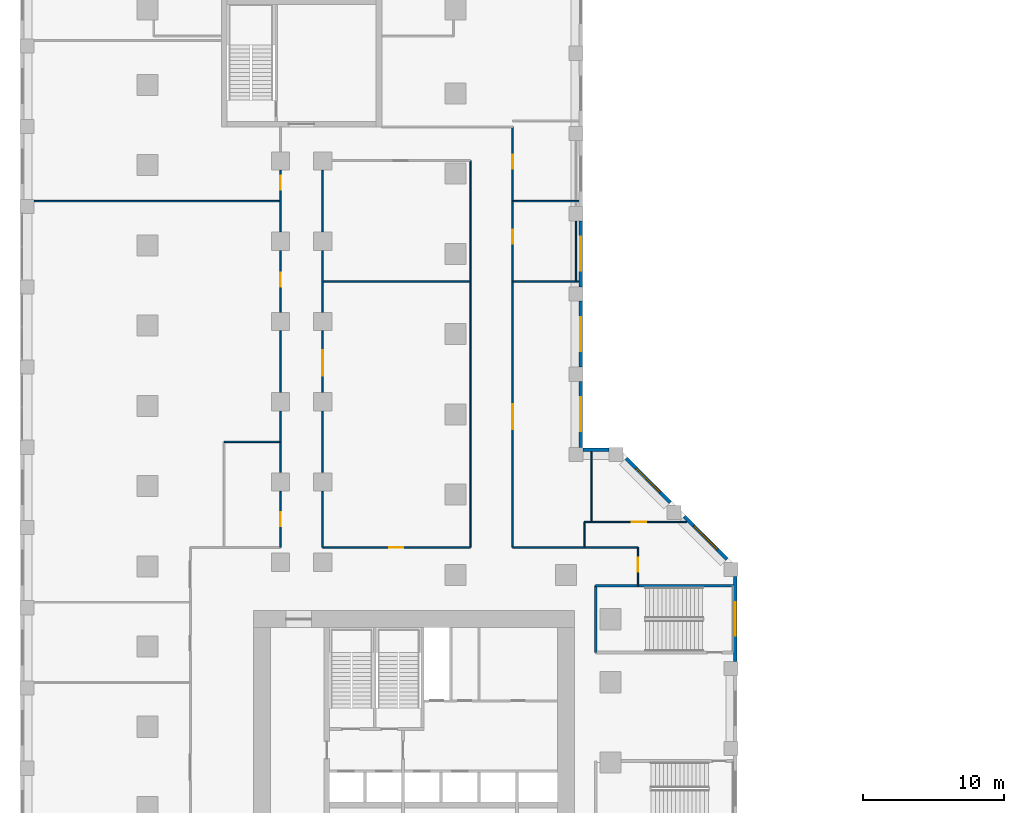
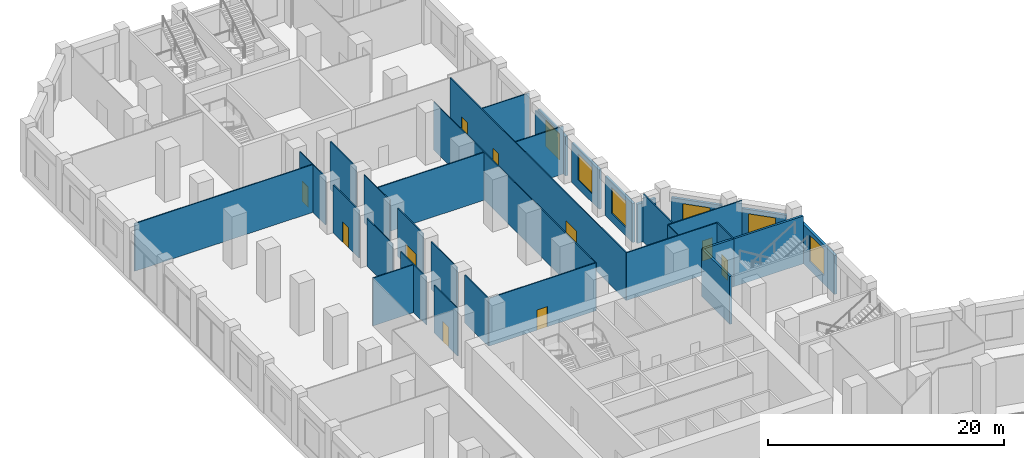
# One storey, part 15 of 23: 34 walls, 10 doors, 6 windows, 16 openings.
"""IFC4 building model written with IfcOpenShell, lengths in metres."""

import ifcopenshell
import ifcopenshell.guid

model = None  # the IFC model being written
_history = None  # IfcOwnerHistory: only IFC2X3 demands one
_inside = {}  # id of a spatial element -> (the spatial element, [elements in it])
_under = {}  # id of a project, library or spatial element -> (it, [spatial elements below it])
_declared = {}  # id of a project -> (the project, [libraries it declares])
_typed = {}  # id of a type object -> (the type object, [elements of that type])
_made_of = {}  # id of a material, layer set ... -> (it, [elements and type objects made of it])


def new_model(schema):
    """Start an empty IFC model of exactly this schema.

    Asked for "IFC4X3", IfcOpenShell would pick the latest addendum, in which some entities
    have other attributes; the version numbers below select the first issue.
    IFC2X3 requires an IfcOwnerHistory on every rooted entity: one is made here for all.
    """
    global model, _history
    if schema == "IFC4X3":
        model = ifcopenshell.file(schema_version=(4, 3, 0, 0))
    else:
        model = ifcopenshell.file(schema=schema)
    _inside.clear()
    _under.clear()
    _declared.clear()
    _typed.clear()
    _made_of.clear()
    _history = None
    if model.schema == "IFC2X3":
        org = make("IfcOrganization", Name="unknown")
        user = make(
            "IfcPersonAndOrganization",
            ThePerson=make("IfcPerson", FamilyName="unknown"),
            TheOrganization=org,
        )
        app = make(
            "IfcApplication",
            ApplicationDeveloper=org,
            Version="unknown",
            ApplicationFullName="unknown",
            ApplicationIdentifier="unknown",
        )
        _history = make(
            "IfcOwnerHistory",
            OwningUser=user,
            OwningApplication=app,
            ChangeAction="ADDED",
            CreationDate=0,
        )
    return model


def make(cls, **values):
    """One entity of the class cls with the attributes given. An attribute that is None is left unset."""
    return model.create_entity(
        cls, **{name: value for name, value in values.items() if value is not None}
    )


def rooted(cls, **values):
    """An entity with a GlobalId (a new one), such as an element, a storey or a relation."""
    return make(cls, GlobalId=ifcopenshell.guid.new(), OwnerHistory=_history, **values)


def si_unit(unit_type, name, prefix=None):
    """IfcSIUnit, for example si_unit("LENGTHUNIT", "METRE", prefix="MILLI")."""
    return make("IfcSIUnit", UnitType=unit_type, Prefix=prefix, Name=name)


def assignment(units):
    """IfcUnitAssignment: the units of a project."""
    return None if units is None else make("IfcUnitAssignment", Units=units)


def point(xyz):
    """IfcCartesianPoint."""
    return None if xyz is None else make("IfcCartesianPoint", Coordinates=xyz)


def direction(xyz):
    """IfcDirection."""
    return None if xyz is None else make("IfcDirection", DirectionRatios=xyz)


def frame(location, z_axis=None, x_axis=None):
    """IfcAxis2Placement3D, a coordinate frame: its origin and axes. An axis left out is left unset."""
    return make(
        "IfcAxis2Placement3D",
        Location=point(location),
        Axis=direction(z_axis),
        RefDirection=direction(x_axis),
    )


def frame_2d(location, x_axis=None):
    """IfcAxis2Placement2D, a coordinate frame in the plane: its origin and x axis."""
    return make(
        "IfcAxis2Placement2D", Location=point(location), RefDirection=direction(x_axis)
    )


def origin():
    """The frame at (0, 0, 0) with its axes left unset."""
    return frame((0.0, 0.0, 0.0))


def place(relative_to, where):
    """IfcLocalPlacement: puts the frame where relative to a parent placement (None: the world)."""
    return make(
        "IfcLocalPlacement", PlacementRelTo=relative_to, RelativePlacement=where
    )


def context(
    kind, dimensions, precision=None, world=None, true_north=None, identifier=None
):
    """IfcGeometricRepresentationContext, for example the 3D "Model" context."""
    return make(
        "IfcGeometricRepresentationContext",
        ContextIdentifier=identifier,
        ContextType=kind,
        CoordinateSpaceDimension=dimensions,
        Precision=precision,
        WorldCoordinateSystem=world,
        TrueNorth=true_north,
    )


def subcontext(parent, identifier, kind, view, scale=None):
    """IfcGeometricRepresentationSubContext, for example "Body" below "Model"."""
    return make(
        "IfcGeometricRepresentationSubContext",
        ContextIdentifier=identifier,
        ContextType=kind,
        ParentContext=parent,
        TargetScale=scale,
        TargetView=view,
    )


def project(units=None, contexts=None):
    """IfcProject with its units and contexts."""
    return rooted(
        "IfcProject",
        Name="project",
        RepresentationContexts=contexts,
        UnitsInContext=assignment(units),
    )


def spatial(cls, under=None, at=None, **own):
    """A site, building, storey or space (cls), placed at a placement, below another one or the project."""
    s = rooted(cls, ObjectPlacement=at, **own)
    if under is not None:
        _under.setdefault(under.id(), (under, []))[1].append(s)
    return s


def profile(cls, at=None, kind="AREA", **sizes):
    """A parametric profile (cls). Its sizes go by their IFC names, for example OverallWidth=200.0."""
    return make(cls, ProfileType=kind, Position=at, **sizes)


def rectangle(**sizes):
    """IfcRectangleProfileDef."""
    return profile("IfcRectangleProfileDef", **sizes)


def extrude(swept, where, along, depth):
    """IfcExtrudedAreaSolid: the profile swept, set in the frame where, extruded along a direction by depth."""
    return make(
        "IfcExtrudedAreaSolid",
        SweptArea=swept,
        Position=where,
        ExtrudedDirection=direction(along),
        Depth=depth,
    )


def shape(context_of_items, identifier, shape_type, items):
    """IfcShapeRepresentation: the items that make up one representation, for example the "Body"."""
    return make(
        "IfcShapeRepresentation",
        ContextOfItems=context_of_items,
        RepresentationIdentifier=identifier,
        RepresentationType=shape_type,
        Items=items,
    )


def material(Name=None, Category=None):
    """IfcMaterial."""
    return make("IfcMaterial", Name=Name, Category=Category)


def layer(
    of_material, thickness, ventilated=None, Name=None, Category=None, Priority=None
):
    """IfcMaterialLayer: one layer of a wall or slab, of a material (None: an air gap)."""
    return make(
        "IfcMaterialLayer",
        Material=of_material,
        LayerThickness=thickness,
        IsVentilated=ventilated,
        Name=Name,
        Category=Category,
        Priority=Priority,
    )


def layer_set(layers, Name=None):
    """IfcMaterialLayerSet."""
    return make("IfcMaterialLayerSet", MaterialLayers=layers, LayerSetName=Name)


def made_of(thing, what):
    """Note that an element or type object is made of a material, layer set ...; save() writes the relation."""
    if what is not None:
        _made_of.setdefault(what.id(), (what, []))[1].append(thing)
    return thing


def type_object(cls, material=None, **own):
    """A type object (cls), such as IfcWallType, which elements share."""
    return made_of(rooted(cls, **own), material)


def element(
    cls,
    number,
    at=None,
    inside=None,
    cuts=None,
    type_object=None,
    material=None,
    context=None,
    identifier="Body",
    shape_type=None,
    held_by="IfcProductDefinitionShape",
    body=None,
    shapes=None,
    **own,
):
    """One element of the class cls, such as IfcWall. Its Tag is "e" and its number.

    at: its placement. inside: the storey or other place that contains it. cuts: it is an
    opening in that element (IfcRelVoidsElement). A single representation is given by context,
    identifier, shape_type and body (its items); several are given by shapes. held_by: the class
    of the entity that holds the representations. save() writes the other relations.
    """
    e = rooted(cls, Tag="e%d" % number, ObjectPlacement=at, **own)
    if body is not None:
        shapes = [shape(context, identifier, shape_type, body)]
    if shapes is not None:
        e.Representation = make(held_by, Representations=shapes)
    if inside is not None:
        _inside.setdefault(inside.id(), (inside, []))[1].append(e)
    if cuts is not None:
        rooted(
            "IfcRelVoidsElement", RelatingBuildingElement=cuts, RelatedOpeningElement=e
        )
    if type_object is not None:
        _typed.setdefault(type_object.id(), (type_object, []))[1].append(e)
    return made_of(e, material)


def fill(opening, filler):
    """IfcRelFillsElement: the door or window that sits in an opening."""
    return rooted(
        "IfcRelFillsElement",
        RelatingOpeningElement=opening,
        RelatedBuildingElement=filler,
    )


def aggregate(whole, parts):
    """IfcRelAggregates: a whole, such as a stair, and the parts it consists of."""
    return rooted("IfcRelAggregates", RelatingObject=whole, RelatedObjects=parts)


def save(model, path):
    """Write the relations noted so far, then the file.

    IfcRelAggregates (storeys below a building ...), IfcRelContainedInSpatialStructure (elements
    in a storey), IfcRelDefinesByType, IfcRelAssociatesMaterial and IfcRelDeclares: one each for
    every whole, place, type object, material and project.
    """
    for whole, parts in _under.values():
        aggregate(whole, parts)
    for where, things in _inside.values():
        rooted(
            "IfcRelContainedInSpatialStructure",
            RelatedElements=things,
            RelatingStructure=where,
        )
    for kind, things in _typed.values():
        rooted("IfcRelDefinesByType", RelatedObjects=things, RelatingType=kind)
    for what, things in _made_of.values():
        rooted("IfcRelAssociatesMaterial", RelatedObjects=things, RelatingMaterial=what)
    for by, libraries in _declared.values():
        rooted("IfcRelDeclares", RelatingContext=by, RelatedDefinitions=libraries)
    model.write(path)


model = new_model("IFC4")

# Units and contexts
model_context = context("Model", 3, precision=1e-05, world=origin(), true_north=direction((0.0, 1.0)))
body_context = subcontext(model_context, "Body", "Model", "MODEL_VIEW")
ifc_project = project(units=[si_unit("LENGTHUNIT", "METRE"), si_unit("AREAUNIT", "SQUARE_METRE"), si_unit("VOLUMEUNIT", "CUBIC_METRE"), si_unit("PLANEANGLEUNIT", "RADIAN"), si_unit("MASSUNIT", "GRAM", prefix="KILO")], contexts=[model_context])

# Site, building, storey
site_placement = place(None, origin())
site = spatial("IfcSite", under=ifc_project, at=site_placement, CompositionType="ELEMENT")
building_placement = place(site_placement, origin())
building = spatial("IfcBuilding", under=site, at=building_placement, Name="Meshkara Civic Tower", CompositionType="ELEMENT")
storey_placement = place(building_placement, frame((0.0, 0.0, 7.199951171875)))
storey = spatial("IfcBuildingStorey", under=building, at=storey_placement, Name="L01", CompositionType="ELEMENT", Elevation=7.199951171875)

# Wall, opening, door
ifc_material_1 = material(Name="Corridor wall 100")
ifc_layer_1 = layer(ifc_material_1, 0.10009765625)
ifc_layer_set_1 = layer_set([ifc_layer_1], Name="Corridor wall 100")
wall_type_1 = type_object("IfcWallType", Name="Corridor wall 100", PredefinedType="PARTITIONING", material=ifc_layer_set_1)
wall_1_placement = place(storey_placement, frame((9.89990234375, 45.3798828125, 0.0), z_axis=(0.0, 0.0, 1.0), x_axis=(0.0, -1.0, 0.0)))
wall_1 = element("IfcWall", 1, at=wall_1_placement, inside=storey, type_object=wall_type_1, Name="L01-R010", PredefinedType="PARTITIONING", context=body_context, shape_type="SweptSolid", body=[
    extrude(rectangle(XDim=3.97998046875, YDim=0.10009765625, at=frame_2d((1.989990234375, 0.0))), origin(), (0.0, 0.0, 1.0), 4.949951171875),
])
opening_1_placement = place(wall_1_placement, frame((1.47998046875, 0.0, 0.0)))
opening_1 = element("IfcOpeningElement", 2, at=opening_1_placement, cuts=wall_1, Name="Opening L01-P029", PredefinedType="OPENING", context=body_context, shape_type="SweptSolid", body=[
    extrude(rectangle(XDim=1.0, YDim=2.10009765625, at=frame_2d((0.5, 1.050048828125))), frame((0.0, 0.06005859375, 0.0), z_axis=(0.0, -1.0, 0.0), x_axis=(1.0, 0.0, 0.0)), (0.0, 0.0, 1.0), 0.1201171875),
])
ifc_material_2 = material(Name="Door 1000 x 2100")
door_type_1 = type_object("IfcDoorType", Name="Door 1000 x 2100", OperationType="SINGLE_SWING_LEFT", PredefinedType="DOOR", material=ifc_material_2)
door_1_placement = place(opening_1_placement, origin())
door_1 = element("IfcDoor", 3, at=door_1_placement, inside=storey, type_object=door_type_1, Name="L01-P029", OperationType="SINGLE_SWING_RIGHT", OverallHeight=2.10009765625, OverallWidth=1.0, PredefinedType="DOOR", context=body_context, shape_type="SweptSolid", body=[
    extrude(rectangle(XDim=1.0, YDim=2.10009765625, at=frame_2d((0.5, 1.050048828125))), frame((0.0, 0.02490234375, 0.0), z_axis=(0.0, -1.0, 0.0), x_axis=(1.0, 0.0, 0.0)), (0.0, 0.0, 1.0), 0.050048828125),
])
fill(opening_1, door_1)

# Walls
for number, where, z_axis, x_axis, name in (
    (4, (9.89990234375, 46.719970703125, 0.0), (0.0, 0.0, 1.0), (0.0, 1.0, 0.0), "L01-R011"),
    (5, (9.89990234375, 56.780029296875, 0.0), (0.0, 0.0, 1.0), (0.0, -1.0, 0.0), "L01-R012"),
):
    element("IfcWall", number, at=place(storey_placement, frame(where, z_axis=z_axis, x_axis=x_axis)), inside=storey, type_object=wall_type_1, Name=name, PredefinedType="PARTITIONING", context=body_context, shape_type="SweptSolid", body=[
        extrude(rectangle(XDim=4.360107421875, YDim=0.10009765625, at=frame_2d((2.18017578125, 0.0))), origin(), (0.0, 0.0, 1.0), 4.949951171875),
    ])

# Wall, opening, door
wall_2_placement = place(storey_placement, frame((9.89990234375, 62.47998046875, 0.0), z_axis=(0.0, 0.0, 1.0), x_axis=(0.0, -1.0, 0.0)))
wall_2 = element("IfcWall", 6, at=wall_2_placement, inside=storey, type_object=wall_type_1, Name="L01-R013", PredefinedType="PARTITIONING", context=body_context, shape_type="SweptSolid", body=[
    extrude(rectangle(XDim=4.35986328125, YDim=0.10009765625, at=frame_2d((2.179931640625, 0.0))), origin(), (0.0, 0.0, 1.0), 4.949951171875),
])
opening_2_placement = place(wall_2_placement, frame((1.580078125, 0.0, 0.0)))
opening_2 = element("IfcOpeningElement", 7, at=opening_2_placement, cuts=wall_2, Name="Opening L01-P033", PredefinedType="OPENING", context=body_context, shape_type="SweptSolid", body=[
    extrude(rectangle(XDim=1.0, YDim=2.10009765625, at=frame_2d((0.5, 1.050048828125))), frame((0.0, 0.06005859375, 0.0), z_axis=(0.0, -1.0, 0.0), x_axis=(1.0, 0.0, 0.0)), (0.0, 0.0, 1.0), 0.1201171875),
])
door_2_placement = place(opening_2_placement, origin())
door_2 = element("IfcDoor", 8, at=door_2_placement, inside=storey, type_object=door_type_1, Name="L01-P033", OperationType="SINGLE_SWING_RIGHT", OverallHeight=2.10009765625, OverallWidth=1.0, PredefinedType="DOOR", context=body_context, shape_type="SweptSolid", body=[
    extrude(rectangle(XDim=1.0, YDim=2.10009765625, at=frame_2d((0.5, 1.050048828125))), frame((0.0, 0.02490234375, 0.0), z_axis=(0.0, -1.0, 0.0), x_axis=(1.0, 0.0, 0.0)), (0.0, 0.0, 1.0), 0.050048828125),
])
fill(opening_2, door_2)

wall_3_placement = place(storey_placement, frame((9.89990234375, 68.179931640625, 0.0), z_axis=(0.0, 0.0, 1.0), x_axis=(0.0, -1.0, 0.0)))
wall_3 = element("IfcWall", 9, at=wall_3_placement, inside=storey, type_object=wall_type_1, Name="L01-R014", PredefinedType="PARTITIONING", context=body_context, shape_type="SweptSolid", body=[
    extrude(rectangle(XDim=4.35986328125, YDim=0.10009765625, at=frame_2d((2.179931640625, 0.0))), origin(), (0.0, 0.0, 1.0), 4.949951171875),
])
opening_3_placement = place(wall_3_placement, frame((0.3798828125, 0.0, 0.0)))
opening_3 = element("IfcOpeningElement", 10, at=opening_3_placement, cuts=wall_3, Name="Opening L01-P035", PredefinedType="OPENING", context=body_context, shape_type="SweptSolid", body=[
    extrude(rectangle(XDim=1.0, YDim=2.10009765625, at=frame_2d((0.5, 1.050048828125))), frame((0.0, 0.06005859375, 0.0), z_axis=(0.0, -1.0, 0.0), x_axis=(1.0, 0.0, 0.0)), (0.0, 0.0, 1.0), 0.1201171875),
])
door_3_placement = place(opening_3_placement, origin())
door_3 = element("IfcDoor", 11, at=door_3_placement, inside=storey, type_object=door_type_1, Name="L01-P035", OperationType="SINGLE_SWING_LEFT", OverallHeight=2.10009765625, OverallWidth=1.0, PredefinedType="DOOR", context=body_context, shape_type="SweptSolid", body=[
    extrude(rectangle(XDim=1.0, YDim=2.10009765625, at=frame_2d((0.5, 1.050048828125))), frame((0.0, 0.02490234375, 0.0), z_axis=(0.0, -1.0, 0.0), x_axis=(1.0, 0.0, 0.0)), (0.0, 0.0, 1.0), 0.050048828125),
])
fill(opening_3, door_3)

# Walls
wall_4_placement = place(storey_placement, frame((12.89990234375, 41.39990234375, 0.0), z_axis=(0.0, 0.0, 1.0), x_axis=(0.0, 1.0, 0.0)))
element("IfcWall", 12, at=wall_4_placement, inside=storey, type_object=wall_type_1, Name="L01-R019", PredefinedType="PARTITIONING", context=body_context, shape_type="SweptSolid", body=[
    extrude(rectangle(XDim=3.97998046875, YDim=0.10009765625, at=frame_2d((1.989990234375, 0.0))), origin(), (0.0, 0.0, 1.0), 4.949951171875),
])
wall_5_placement = place(storey_placement, frame((12.89990234375, 46.719970703125, 0.0), z_axis=(0.0, 0.0, 1.0), x_axis=(0.0, 1.0, 0.0)))
element("IfcWall", 13, at=wall_5_placement, inside=storey, type_object=wall_type_1, Name="L01-R020", PredefinedType="PARTITIONING", context=body_context, shape_type="SweptSolid", body=[
    extrude(rectangle(XDim=4.360107421875, YDim=0.10009765625, at=frame_2d((2.18017578125, 0.0))), origin(), (0.0, 0.0, 1.0), 4.949951171875),
])

# Wall, opening, door
wall_6_placement = place(storey_placement, frame((12.89990234375, 52.419921875, 0.0), z_axis=(0.0, 0.0, 1.0), x_axis=(0.0, 1.0, 0.0)))
wall_6 = element("IfcWall", 14, at=wall_6_placement, inside=storey, type_object=wall_type_1, Name="L01-R021", PredefinedType="PARTITIONING", context=body_context, shape_type="SweptSolid", body=[
    extrude(rectangle(XDim=4.360107421875, YDim=0.10009765625, at=frame_2d((2.18017578125, 0.0))), origin(), (0.0, 0.0, 1.0), 4.949951171875),
])
opening_4_placement = place(wall_6_placement, frame((1.179931640625, 0.0, 0.0)))
opening_4 = element("IfcOpeningElement", 15, at=opening_4_placement, cuts=wall_6, Name="Opening L01-P032", PredefinedType="OPENING", context=body_context, shape_type="SweptSolid", body=[
    extrude(rectangle(XDim=1.800048828125, YDim=2.10009765625, at=frame_2d((0.89990234375, 1.050048828125))), frame((0.0, 0.06005859375, 0.0), z_axis=(0.0, -1.0, 0.0), x_axis=(1.0, 0.0, 0.0)), (0.0, 0.0, 1.0), 0.1201171875),
])
ifc_material_3 = material(Name="Door pair 1800 x 2100")
door_type_2 = type_object("IfcDoorType", Name="Door pair 1800 x 2100", OperationType="SINGLE_SWING_LEFT", PredefinedType="DOOR", material=ifc_material_3)
door_4_placement = place(opening_4_placement, origin())
door_4 = element("IfcDoor", 16, at=door_4_placement, inside=storey, type_object=door_type_2, Name="L01-P032", OperationType="DOUBLE_DOOR_SINGLE_SWING", OverallHeight=2.10009765625, OverallWidth=1.800048828125, PredefinedType="DOOR", context=body_context, shape_type="SweptSolid", body=[
    extrude(rectangle(XDim=1.800048828125, YDim=2.10009765625, at=frame_2d((0.89990234375, 1.050048828125))), frame((0.0, 0.02490234375, 0.0), z_axis=(0.0, -1.0, 0.0), x_axis=(1.0, 0.0, 0.0)), (0.0, 0.0, 1.0), 0.050048828125),
])
fill(opening_4, door_4)

# Walls
for number, where, z_axis, x_axis, name in (
    (17, (12.89990234375, 62.47998046875, 0.0), (0.0, 0.0, 1.0), (0.0, -1.0, 0.0), "L01-R022"),
    (18, (12.89990234375, 63.820068359375, 0.0), (0.0, 0.0, 1.0), (0.0, 1.0, 0.0), "L01-R023"),
):
    element("IfcWall", number, at=place(storey_placement, frame(where, z_axis=z_axis, x_axis=x_axis)), inside=storey, type_object=wall_type_1, Name=name, PredefinedType="PARTITIONING", context=body_context, shape_type="SweptSolid", body=[
        extrude(rectangle(XDim=4.35986328125, YDim=0.10009765625, at=frame_2d((2.179931640625, 0.0))), origin(), (0.0, 0.0, 1.0), 4.949951171875),
    ])

# Wall, opening, door
wall_7_placement = place(storey_placement, frame((23.39990234375, 41.39990234375, 0.0), z_axis=(0.0, 0.0, 1.0), x_axis=(-1.0, 0.0, 0.0)))
wall_7 = element("IfcWall", 19, at=wall_7_placement, inside=storey, type_object=wall_type_1, Name="L01-R032", PredefinedType="PARTITIONING", context=body_context, shape_type="SweptSolid", body=[
    extrude(rectangle(XDim=10.5, YDim=0.10009765625, at=frame_2d((5.25, 0.0))), origin(), (0.0, 0.0, 1.0), 4.949951171875),
])
opening_5_placement = place(wall_7_placement, frame((4.780029296875, 0.0, 0.0)))
opening_5 = element("IfcOpeningElement", 20, at=opening_5_placement, cuts=wall_7, Name="Opening L01-P027", PredefinedType="OPENING", context=body_context, shape_type="SweptSolid", body=[
    extrude(rectangle(XDim=1.0, YDim=2.10009765625, at=frame_2d((0.5, 1.050048828125))), frame((0.0, 0.06005859375, 0.0), z_axis=(0.0, -1.0, 0.0), x_axis=(1.0, 0.0, 0.0)), (0.0, 0.0, 1.0), 0.1201171875),
])
door_5_placement = place(opening_5_placement, origin())
door_5 = element("IfcDoor", 21, at=door_5_placement, inside=storey, type_object=door_type_1, Name="L01-P027", OperationType="SINGLE_SWING_RIGHT", OverallHeight=2.10009765625, OverallWidth=1.0, PredefinedType="DOOR", context=body_context, shape_type="SweptSolid", body=[
    extrude(rectangle(XDim=1.0, YDim=2.10009765625, at=frame_2d((0.5, 1.050048828125))), frame((0.0, 0.02490234375, 0.0), z_axis=(0.0, -1.0, 0.0), x_axis=(1.0, 0.0, 0.0)), (0.0, 0.0, 1.0), 0.050048828125),
])
fill(opening_5, door_5)

# Wall
wall_8_placement = place(storey_placement, frame((23.39990234375, 68.8701171875, 0.0), z_axis=(0.0, 0.0, 1.0), x_axis=(0.0, -1.0, 0.0)))
element("IfcWall", 22, at=wall_8_placement, inside=storey, type_object=wall_type_1, Name="L01-R033", PredefinedType="PARTITIONING", context=body_context, shape_type="SweptSolid", body=[
    extrude(rectangle(XDim=27.47021484375, YDim=0.10009765625, at=frame_2d((13.735107421875, 0.0))), origin(), (0.0, 0.0, 1.0), 4.949951171875),
])

# Wall, openings, doors
wall_9_placement = place(storey_placement, frame((26.39990234375, 41.39990234375, 0.0), z_axis=(0.0, 0.0, 1.0), x_axis=(0.0, 1.0, 0.0)))
wall_9 = element("IfcWall", 23, at=wall_9_placement, inside=storey, type_object=wall_type_1, Name="L01-R035", PredefinedType="PARTITIONING", context=body_context, shape_type="SweptSolid", body=[
    extrude(rectangle(XDim=29.8701171875, YDim=0.10009765625, at=frame_2d((14.93505859375, 0.0))), origin(), (0.0, 0.0, 1.0), 4.949951171875),
])
opening_6_placement = place(wall_9_placement, frame((8.3798828125, 0.0, 0.0)))
opening_6 = element("IfcOpeningElement", 24, at=opening_6_placement, cuts=wall_9, Name="Opening L01-P031", PredefinedType="OPENING", context=body_context, shape_type="SweptSolid", body=[
    extrude(rectangle(XDim=1.800048828125, YDim=2.10009765625, at=frame_2d((0.89990234375, 1.050048828125))), frame((0.0, 0.06005859375, 0.0), z_axis=(0.0, -1.0, 0.0), x_axis=(1.0, 0.0, 0.0)), (0.0, 0.0, 1.0), 0.1201171875),
])
opening_7_placement = place(wall_9_placement, frame((21.580078125, 0.0, 0.0)))
opening_7 = element("IfcOpeningElement", 25, at=opening_7_placement, cuts=wall_9, Name="Opening L01-P034", PredefinedType="OPENING", context=body_context, shape_type="SweptSolid", body=[
    extrude(rectangle(XDim=1.0, YDim=2.10009765625, at=frame_2d((0.5, 1.050048828125))), frame((0.0, 0.06005859375, 0.0), z_axis=(0.0, -1.0, 0.0), x_axis=(1.0, 0.0, 0.0)), (0.0, 0.0, 1.0), 0.1201171875),
])
opening_8_placement = place(wall_9_placement, frame((26.8798828125, 0.0, 0.0)))
opening_8 = element("IfcOpeningElement", 26, at=opening_8_placement, cuts=wall_9, Name="Opening L01-P037", PredefinedType="OPENING", context=body_context, shape_type="SweptSolid", body=[
    extrude(rectangle(XDim=1.0, YDim=2.10009765625, at=frame_2d((0.5, 1.050048828125))), frame((0.0, 0.06005859375, 0.0), z_axis=(0.0, -1.0, 0.0), x_axis=(1.0, 0.0, 0.0)), (0.0, 0.0, 1.0), 0.1201171875),
])
door_6_placement = place(opening_7_placement, origin())
door_6 = element("IfcDoor", 27, at=door_6_placement, inside=storey, type_object=door_type_1, Name="L01-P034", OperationType="SINGLE_SWING_RIGHT", OverallHeight=2.10009765625, OverallWidth=1.0, PredefinedType="DOOR", context=body_context, shape_type="SweptSolid", body=[
    extrude(rectangle(XDim=1.0, YDim=2.10009765625, at=frame_2d((0.5, 1.050048828125))), frame((0.0, 0.02490234375, 0.0), z_axis=(0.0, -1.0, 0.0), x_axis=(1.0, 0.0, 0.0)), (0.0, 0.0, 1.0), 0.050048828125),
])
fill(opening_7, door_6)
door_7_placement = place(opening_8_placement, origin())
door_7 = element("IfcDoor", 28, at=door_7_placement, inside=storey, type_object=door_type_1, Name="L01-P037", OperationType="SINGLE_SWING_LEFT", OverallHeight=2.10009765625, OverallWidth=1.0, PredefinedType="DOOR", context=body_context, shape_type="SweptSolid", body=[
    extrude(rectangle(XDim=1.0, YDim=2.10009765625, at=frame_2d((0.5, 1.050048828125))), frame((0.0, 0.02490234375, 0.0), z_axis=(0.0, -1.0, 0.0), x_axis=(1.0, 0.0, 0.0)), (0.0, 0.0, 1.0), 0.050048828125),
])
fill(opening_8, door_7)
door_8_placement = place(opening_6_placement, origin())
door_8 = element("IfcDoor", 29, at=door_8_placement, inside=storey, type_object=door_type_2, Name="L01-P031", OperationType="DOUBLE_DOOR_SINGLE_SWING", OverallHeight=2.10009765625, OverallWidth=1.800048828125, PredefinedType="DOOR", context=body_context, shape_type="SweptSolid", body=[
    extrude(rectangle(XDim=1.800048828125, YDim=2.10009765625, at=frame_2d((0.89990234375, 1.050048828125))), frame((0.0, 0.02490234375, 0.0), z_axis=(0.0, -1.0, 0.0), x_axis=(1.0, 0.0, 0.0)), (0.0, 0.0, 1.0), 0.050048828125),
])
fill(opening_6, door_8)

# Wall
wall_10_placement = place(storey_placement, frame((26.39990234375, 41.39990234375, 0.0), z_axis=(0.0, 0.0, 1.0), x_axis=(1.0, 0.0, 0.0)))
element("IfcWall", 30, at=wall_10_placement, inside=storey, type_object=wall_type_1, Name="L01-R036", PredefinedType="PARTITIONING", context=body_context, shape_type="SweptSolid", body=[
    extrude(rectangle(XDim=8.900146484375, YDim=0.10009765625, at=frame_2d((4.4501953125, 0.0))), origin(), (0.0, 0.0, 1.0), 4.949951171875),
])

# Wall, opening, door
wall_11_placement = place(storey_placement, frame((35.300048828125, 38.675048828125, 0.0), z_axis=(0.0, 0.0, 1.0), x_axis=(0.0, 1.0, 0.0)))
wall_11 = element("IfcWall", 31, at=wall_11_placement, inside=storey, type_object=wall_type_1, Name="L01-R049", PredefinedType="PARTITIONING", context=body_context, shape_type="SweptSolid", body=[
    extrude(rectangle(XDim=2.724853515625, YDim=0.10009765625, at=frame_2d((1.3623046875, 0.0))), origin(), (0.0, 0.0, 1.0), 4.949951171875),
])
opening_9_placement = place(wall_11_placement, frame((0.97998046875, 0.0, 0.0)))
opening_9 = element("IfcOpeningElement", 32, at=opening_9_placement, cuts=wall_11, Name="Opening L01-P028", PredefinedType="OPENING", context=body_context, shape_type="SweptSolid", body=[
    extrude(rectangle(XDim=1.0, YDim=2.10009765625, at=frame_2d((0.5, 1.050048828125))), frame((0.0, 0.06005859375, 0.0), z_axis=(0.0, -1.0, 0.0), x_axis=(1.0, 0.0, 0.0)), (0.0, 0.0, 1.0), 0.1201171875),
])
door_9_placement = place(opening_9_placement, origin())
door_9 = element("IfcDoor", 33, at=door_9_placement, inside=storey, type_object=door_type_1, Name="L01-P028", OperationType="SINGLE_SWING_RIGHT", OverallHeight=2.10009765625, OverallWidth=1.0, PredefinedType="DOOR", context=body_context, shape_type="SweptSolid", body=[
    extrude(rectangle(XDim=1.0, YDim=2.10009765625, at=frame_2d((0.5, 1.050048828125))), frame((0.0, 0.02490234375, 0.0), z_axis=(0.0, -1.0, 0.0), x_axis=(1.0, 0.0, 0.0)), (0.0, 0.0, 1.0), 0.050048828125),
])
fill(opening_9, door_9)

# Wall, opening, window
ifc_material_4 = material(Name="Stone cladding on insulated backing wall", Category="masonry")
ifc_layer_2 = layer(ifc_material_4, 0.25)
ifc_layer_set_2 = layer_set([ifc_layer_2], Name="PODIUM STONE WALL 250")
wall_type_2 = type_object("IfcWallType", Name="PODIUM STONE WALL 250", PredefinedType="SOLIDWALL", material=ifc_layer_set_2)
wall_12_placement = place(storey_placement, frame((42.22509765625, 33.299072265625, 0.0), z_axis=(0.0, 0.0, 1.0), x_axis=(0.0, 1.0, 0.0)))
wall_12 = element("IfcWall", 34, at=wall_12_placement, inside=storey, type_object=wall_type_2, Name="Podium external wall", PredefinedType="SOLIDWALL", context=body_context, shape_type="SweptSolid", body=[
    extrude(rectangle(XDim=6.036865234375, YDim=0.25, at=frame_2d((3.0185546875, 0.0))), origin(), (0.0, 0.0, 1.0), 4.050048828125),
])
opening_10_placement = place(wall_12_placement, frame((1.819091796875, 0.0, 0.89990234375)))
opening_10 = element("IfcOpeningElement", 35, at=opening_10_placement, cuts=wall_12, Name="Opening PW4", PredefinedType="OPENING", context=body_context, shape_type="SweptSolid", body=[
    extrude(rectangle(XDim=2.39990234375, YDim=2.699951171875, at=frame_2d((1.199951171875, 1.35009765625))), frame((0.0, 0.135009765625, 0.0), z_axis=(0.0, -1.0, 0.0), x_axis=(1.0, 0.0, 0.0)), (0.0, 0.0, 1.0), 0.27001953125),
])
ifc_material_5 = material(Name="Tinted double glazing", Category="glass")
window_type = type_object("IfcWindowType", Name="PODIUM WINDOW 2400x2700", PartitioningType="DOUBLE_PANEL_VERTICAL", PredefinedType="WINDOW", material=ifc_material_5)
window_1_placement = place(opening_10_placement, origin())
window_1 = element("IfcWindow", 36, at=window_1_placement, inside=storey, type_object=window_type, Name="Podium window", OverallHeight=2.699951171875, OverallWidth=2.39990234375, PartitioningType="DOUBLE_PANEL_VERTICAL", PredefinedType="WINDOW", context=body_context, shape_type="SweptSolid", body=[
    extrude(rectangle(XDim=2.39990234375, YDim=2.699951171875, at=frame_2d((1.199951171875, 1.35009765625))), frame((0.0, 0.030029296875, 0.0), z_axis=(0.0, -1.0, 0.0), x_axis=(1.0, 0.0, 0.0)), (0.0, 0.0, 1.0), 0.06005859375),
])
fill(opening_10, window_1)

wall_13_placement = place(storey_placement, frame((41.6298828125, 40.56591796875, 0.0), z_axis=(0.0, 0.0, 1.0), x_axis=(-0.707078301545, 0.707135259681, 0.0)))
wall_13 = element("IfcWall", 37, at=wall_13_placement, inside=storey, type_object=wall_type_2, Name="Podium external wall", PredefinedType="SOLIDWALL", context=body_context, shape_type="SweptSolid", body=[
    extrude(rectangle(XDim=4.286376953125, YDim=0.25, at=frame_2d((2.14306640625, 0.0))), origin(), (0.0, 0.0, 1.0), 4.050048828125),
])
opening_11_placement = place(wall_13_placement, frame((0.943115234375, 0.0, 0.89990234375)))
opening_11 = element("IfcOpeningElement", 38, at=opening_11_placement, cuts=wall_13, Name="Opening PW4", PredefinedType="OPENING", context=body_context, shape_type="SweptSolid", body=[
    extrude(rectangle(XDim=2.39990234375, YDim=2.699951171875, at=frame_2d((1.199951171875, 1.35009765625))), frame((0.0, 0.135009765625, 0.0), z_axis=(0.0, -1.0, 0.0), x_axis=(1.0, 0.0, 0.0)), (0.0, 0.0, 1.0), 0.27001953125),
])
window_2_placement = place(opening_11_placement, origin())
window_2 = element("IfcWindow", 39, at=window_2_placement, inside=storey, type_object=window_type, Name="Podium window", OverallHeight=2.699951171875, OverallWidth=2.39990234375, PartitioningType="DOUBLE_PANEL_VERTICAL", PredefinedType="WINDOW", context=body_context, shape_type="SweptSolid", body=[
    extrude(rectangle(XDim=2.39990234375, YDim=2.699951171875, at=frame_2d((1.199951171875, 1.35009765625))), frame((0.0, 0.030029296875, 0.0), z_axis=(0.0, -1.0, 0.0), x_axis=(1.0, 0.0, 0.0)), (0.0, 0.0, 1.0), 0.06005859375),
])
fill(opening_11, window_2)

wall_14_placement = place(storey_placement, frame((37.59912109375, 44.596923828125, 0.0), z_axis=(0.0, 0.0, 1.0), x_axis=(-0.707106781187, 0.707106781187, 0.0)))
wall_14 = element("IfcWall", 40, at=wall_14_placement, inside=storey, type_object=wall_type_2, Name="Podium external wall", PredefinedType="SOLIDWALL", context=body_context, shape_type="SweptSolid", body=[
    extrude(rectangle(XDim=4.430908203125, YDim=0.25, at=frame_2d((2.21533203125, 0.0))), origin(), (0.0, 0.0, 1.0), 4.050048828125),
])
opening_12_placement = place(wall_14_placement, frame((1.014892578125, 0.0, 0.89990234375)))
opening_12 = element("IfcOpeningElement", 41, at=opening_12_placement, cuts=wall_14, Name="Opening PW4", PredefinedType="OPENING", context=body_context, shape_type="SweptSolid", body=[
    extrude(rectangle(XDim=2.39990234375, YDim=2.699951171875, at=frame_2d((1.199951171875, 1.35009765625))), frame((0.0, 0.135009765625, 0.0), z_axis=(0.0, -1.0, 0.0), x_axis=(1.0, 0.0, 0.0)), (0.0, 0.0, 1.0), 0.27001953125),
])
window_3_placement = place(opening_12_placement, origin())
window_3 = element("IfcWindow", 42, at=window_3_placement, inside=storey, type_object=window_type, Name="Podium window", OverallHeight=2.699951171875, OverallWidth=2.39990234375, PartitioningType="DOUBLE_PANEL_VERTICAL", PredefinedType="WINDOW", context=body_context, shape_type="SweptSolid", body=[
    extrude(rectangle(XDim=2.39990234375, YDim=2.699951171875, at=frame_2d((1.199951171875, 1.35009765625))), frame((0.0, 0.030029296875, 0.0), z_axis=(0.0, -1.0, 0.0), x_axis=(1.0, 0.0, 0.0)), (0.0, 0.0, 1.0), 0.06005859375),
])
fill(opening_12, window_3)

# Wall
wall_15_placement = place(storey_placement, frame((33.236083984375, 48.324951171875, 0.0), z_axis=(0.0, 0.0, 1.0), x_axis=(-1.0, 0.0, 0.0)))
element("IfcWall", 43, at=wall_15_placement, inside=storey, type_object=wall_type_2, Name="Podium external wall", PredefinedType="SOLIDWALL", context=body_context, shape_type="SweptSolid", body=[
    extrude(rectangle(XDim=1.836181640625, YDim=0.25, at=frame_2d((0.91796875, 0.0))), origin(), (0.0, 0.0, 1.0), 4.050048828125),
])

# Wall, opening, window
wall_16_placement = place(storey_placement, frame((31.22509765625, 48.5, 0.0), z_axis=(0.0, 0.0, 1.0), x_axis=(0.0, 1.0, 0.0)))
wall_16 = element("IfcWall", 44, at=wall_16_placement, inside=storey, type_object=wall_type_2, Name="Podium external wall", PredefinedType="SOLIDWALL", context=body_context, shape_type="SweptSolid", body=[
    extrude(rectangle(XDim=4.699951171875, YDim=0.25, at=frame_2d((2.35009765625, 0.0))), origin(), (0.0, 0.0, 1.0), 4.050048828125),
])
opening_13_placement = place(wall_16_placement, frame((1.14990234375, 0.0, 0.89990234375)))
opening_13 = element("IfcOpeningElement", 45, at=opening_13_placement, cuts=wall_16, Name="Opening PW4", PredefinedType="OPENING", context=body_context, shape_type="SweptSolid", body=[
    extrude(rectangle(XDim=2.39990234375, YDim=2.699951171875, at=frame_2d((1.199951171875, 1.35009765625))), frame((0.0, 0.135009765625, 0.0), z_axis=(0.0, -1.0, 0.0), x_axis=(1.0, 0.0, 0.0)), (0.0, 0.0, 1.0), 0.27001953125),
])
window_4_placement = place(opening_13_placement, origin())
window_4 = element("IfcWindow", 46, at=window_4_placement, inside=storey, type_object=window_type, Name="Podium window", OverallHeight=2.699951171875, OverallWidth=2.39990234375, PartitioningType="DOUBLE_PANEL_VERTICAL", PredefinedType="WINDOW", context=body_context, shape_type="SweptSolid", body=[
    extrude(rectangle(XDim=2.39990234375, YDim=2.699951171875, at=frame_2d((1.199951171875, 1.35009765625))), frame((0.0, 0.030029296875, 0.0), z_axis=(0.0, -1.0, 0.0), x_axis=(1.0, 0.0, 0.0)), (0.0, 0.0, 1.0), 0.06005859375),
])
fill(opening_13, window_4)

wall_17_placement = place(storey_placement, frame((31.22509765625, 54.199951171875, 0.0), z_axis=(0.0, 0.0, 1.0), x_axis=(0.0, 1.0, 0.0)))
wall_17 = element("IfcWall", 47, at=wall_17_placement, inside=storey, type_object=wall_type_2, Name="Podium external wall", PredefinedType="SOLIDWALL", context=body_context, shape_type="SweptSolid", body=[
    extrude(rectangle(XDim=4.699951171875, YDim=0.25, at=frame_2d((2.35009765625, 0.0))), origin(), (0.0, 0.0, 1.0), 4.050048828125),
])
opening_14_placement = place(wall_17_placement, frame((1.14990234375, 0.0, 0.89990234375)))
opening_14 = element("IfcOpeningElement", 48, at=opening_14_placement, cuts=wall_17, Name="Opening PW4", PredefinedType="OPENING", context=body_context, shape_type="SweptSolid", body=[
    extrude(rectangle(XDim=2.39990234375, YDim=2.699951171875, at=frame_2d((1.199951171875, 1.35009765625))), frame((0.0, 0.135009765625, 0.0), z_axis=(0.0, -1.0, 0.0), x_axis=(1.0, 0.0, 0.0)), (0.0, 0.0, 1.0), 0.27001953125),
])
window_5_placement = place(opening_14_placement, origin())
window_5 = element("IfcWindow", 49, at=window_5_placement, inside=storey, type_object=window_type, Name="Podium window", OverallHeight=2.699951171875, OverallWidth=2.39990234375, PartitioningType="DOUBLE_PANEL_VERTICAL", PredefinedType="WINDOW", context=body_context, shape_type="SweptSolid", body=[
    extrude(rectangle(XDim=2.39990234375, YDim=2.699951171875, at=frame_2d((1.199951171875, 1.35009765625))), frame((0.0, 0.030029296875, 0.0), z_axis=(0.0, -1.0, 0.0), x_axis=(1.0, 0.0, 0.0)), (0.0, 0.0, 1.0), 0.06005859375),
])
fill(opening_14, window_5)

wall_18_placement = place(storey_placement, frame((31.22509765625, 59.89990234375, 0.0), z_axis=(0.0, 0.0, 1.0), x_axis=(0.0, 1.0, 0.0)))
wall_18 = element("IfcWall", 50, at=wall_18_placement, inside=storey, type_object=wall_type_2, Name="Podium external wall", PredefinedType="SOLIDWALL", context=body_context, shape_type="SweptSolid", body=[
    extrude(rectangle(XDim=4.7001953125, YDim=0.25, at=frame_2d((2.35009765625, 0.0))), origin(), (0.0, 0.0, 1.0), 4.050048828125),
])
opening_15_placement = place(wall_18_placement, frame((1.14990234375, 0.0, 0.89990234375)))
opening_15 = element("IfcOpeningElement", 51, at=opening_15_placement, cuts=wall_18, Name="Opening PW4", PredefinedType="OPENING", context=body_context, shape_type="SweptSolid", body=[
    extrude(rectangle(XDim=2.39990234375, YDim=2.699951171875, at=frame_2d((1.199951171875, 1.35009765625))), frame((0.0, 0.135009765625, 0.0), z_axis=(0.0, -1.0, 0.0), x_axis=(1.0, 0.0, 0.0)), (0.0, 0.0, 1.0), 0.27001953125),
])
window_6_placement = place(opening_15_placement, origin())
window_6 = element("IfcWindow", 52, at=window_6_placement, inside=storey, type_object=window_type, Name="Podium window", OverallHeight=2.699951171875, OverallWidth=2.39990234375, PartitioningType="DOUBLE_PANEL_VERTICAL", PredefinedType="WINDOW", context=body_context, shape_type="SweptSolid", body=[
    extrude(rectangle(XDim=2.39990234375, YDim=2.699951171875, at=frame_2d((1.199951171875, 1.35009765625))), frame((0.0, 0.030029296875, 0.0), z_axis=(0.0, -1.0, 0.0), x_axis=(1.0, 0.0, 0.0)), (0.0, 0.0, 1.0), 0.06005859375),
])
fill(opening_15, window_6)

# Walls
ifc_material_6 = material(Name="Partition 100")
ifc_layer_3 = layer(ifc_material_6, 0.10009765625)
ifc_layer_set_3 = layer_set([ifc_layer_3], Name="Partition 100")
wall_type_3 = type_object("IfcWallType", Name="Partition 100", PredefinedType="PARTITIONING", material=ifc_layer_set_3)
wall_19_placement = place(storey_placement, frame((9.85009765625, 48.89990234375, 0.0), z_axis=(0.0, 0.0, 1.0), x_axis=(-1.0, 0.0, 0.0)))
element("IfcWall", 53, at=wall_19_placement, inside=storey, type_object=wall_type_3, Name="L01-R093", PredefinedType="PARTITIONING", context=body_context, shape_type="SweptSolid", body=[
    extrude(rectangle(XDim=3.9501953125, YDim=0.10009765625, at=frame_2d((1.97509765625, 0.0))), origin(), (0.0, 0.0, 1.0), 4.949951171875),
])
wall_20_placement = place(storey_placement, frame((9.85009765625, 66.0, 0.0), z_axis=(0.0, 0.0, 1.0), x_axis=(-1.0, 0.0, 0.0)))
element("IfcWall", 54, at=wall_20_placement, inside=storey, type_object=wall_type_3, Name="L01-R094", PredefinedType="PARTITIONING", context=body_context, shape_type="SweptSolid", body=[
    extrude(rectangle(XDim=17.43017578125, YDim=0.10009765625, at=frame_2d((8.715087890625, 0.0))), origin(), (0.0, 0.0, 1.0), 4.949951171875),
])
wall_21_placement = place(storey_placement, frame((23.35009765625, 60.300048828125, 0.0), z_axis=(0.0, 0.0, 1.0), x_axis=(-1.0, 0.0, 0.0)))
element("IfcWall", 55, at=wall_21_placement, inside=storey, type_object=wall_type_3, Name="L01-R096", PredefinedType="PARTITIONING", context=body_context, shape_type="SweptSolid", body=[
    extrude(rectangle(XDim=10.400146484375, YDim=0.10009765625, at=frame_2d((5.2001953125, 0.0))), origin(), (0.0, 0.0, 1.0), 4.949951171875),
])
for number, where, z_axis, x_axis, name in (
    (56, (31.10009765625, 66.0, 0.0), (0.0, 0.0, 1.0), (-1.0, 0.0, 0.0), "L01-R100"),
    (57, (31.10009765625, 60.300048828125, 0.0), (0.0, 0.0, 1.0), (-1.0, 0.0, 0.0), "L01-R101"),
):
    element("IfcWall", number, at=place(storey_placement, frame(where, z_axis=z_axis, x_axis=x_axis)), inside=storey, type_object=wall_type_3, Name=name, PredefinedType="PARTITIONING", context=body_context, shape_type="SweptSolid", body=[
        extrude(rectangle(XDim=4.650146484375, YDim=0.10009765625, at=frame_2d((2.3251953125, 0.0))), origin(), (0.0, 0.0, 1.0), 4.949951171875),
    ])
wall_22_placement = place(storey_placement, frame((30.89990234375, 60.300048828125, 0.0), z_axis=(0.0, 0.0, 1.0), x_axis=(0.0, 1.0, 0.0)))
element("IfcWall", 58, at=wall_22_placement, inside=storey, type_object=wall_type_3, Name="L01-R102", PredefinedType="PARTITIONING", context=body_context, shape_type="SweptSolid", body=[
    extrude(rectangle(XDim=4.280029296875, YDim=0.10009765625, at=frame_2d((2.14013671875, 0.0))), origin(), (0.0, 0.0, 1.0), 4.050048828125),
])
wall_23_placement = place(storey_placement, frame((31.5, 41.449951171875, 0.0), z_axis=(0.0, 0.0, 1.0), x_axis=(0.0, 1.0, 0.0)))
element("IfcWall", 59, at=wall_23_placement, inside=storey, type_object=wall_type_3, Name="L01-R104", PredefinedType="PARTITIONING", context=body_context, shape_type="SweptSolid", body=[
    extrude(rectangle(XDim=1.75, YDim=0.10009765625, at=frame_2d((0.875, 0.0))), origin(), (0.0, 0.0, 1.0), 4.949951171875),
])

# Wall, opening, door
wall_24_placement = place(storey_placement, frame((31.5, 43.199951171875, 0.0), z_axis=(0.0, 0.0, 1.0), x_axis=(1.0, 0.0, 0.0)))
wall_24 = element("IfcWall", 60, at=wall_24_placement, inside=storey, type_object=wall_type_3, Name="L01-R105", PredefinedType="PARTITIONING", context=body_context, shape_type="SweptSolid", body=[
    extrude(rectangle(XDim=7.248046875, YDim=0.10009765625, at=frame_2d((3.6240234375, 0.0))), origin(), (0.0, 0.0, 1.0), 4.949951171875),
])
opening_16_placement = place(wall_24_placement, frame((3.3740234375, 0.0, 0.0)))
opening_16 = element("IfcOpeningElement", 61, at=opening_16_placement, cuts=wall_24, Name="Opening L01-P030", PredefinedType="OPENING", context=body_context, shape_type="SweptSolid", body=[
    extrude(rectangle(XDim=1.0, YDim=2.10009765625, at=frame_2d((0.5, 1.050048828125))), frame((0.0, 0.06005859375, 0.0), z_axis=(0.0, -1.0, 0.0), x_axis=(1.0, 0.0, 0.0)), (0.0, 0.0, 1.0), 0.1201171875),
])
door_10_placement = place(opening_16_placement, origin())
door_10 = element("IfcDoor", 62, at=door_10_placement, inside=storey, type_object=door_type_1, Name="L01-P030", OperationType="SINGLE_SWING_LEFT", OverallHeight=2.10009765625, OverallWidth=1.0, PredefinedType="DOOR", context=body_context, shape_type="SweptSolid", body=[
    extrude(rectangle(XDim=1.0, YDim=2.10009765625, at=frame_2d((0.5, 1.050048828125))), frame((0.0, 0.02490234375, 0.0), z_axis=(0.0, -1.0, 0.0), x_axis=(1.0, 0.0, 0.0)), (0.0, 0.0, 1.0), 0.050048828125),
])
fill(opening_16, door_10)

# Walls
wall_25_placement = place(storey_placement, frame((32.0, 43.25, 0.0), z_axis=(0.0, 0.0, 1.0), x_axis=(0.0, 1.0, 0.0)))
element("IfcWall", 63, at=wall_25_placement, inside=storey, type_object=wall_type_3, Name="L01-R106", PredefinedType="PARTITIONING", context=body_context, shape_type="SweptSolid", body=[
    extrude(rectangle(XDim=4.949951171875, YDim=0.10009765625, at=frame_2d((2.47509765625, 0.0))), origin(), (0.0, 0.0, 1.0), 4.949951171875),
])
ifc_material_7 = material(Name="Concrete C40/50", Category="concrete")
ifc_layer_4 = layer(ifc_material_7, 0.199951171875)
ifc_layer_set_4 = layer_set([ifc_layer_4], Name="Stair enclosure wall 200 C40/50")
wall_type_4 = type_object("IfcWallType", Name="Stair enclosure wall 200 C40/50", PredefinedType="SOLIDWALL", material=ifc_layer_set_4)
wall_26_placement = place(storey_placement, frame((32.300048828125, 33.925048828125, 0.0), z_axis=(0.0, 0.0, 1.0), x_axis=(0.0, 1.0, 0.0)))
element("IfcWall", 64, at=wall_26_placement, inside=storey, type_object=wall_type_4, Name="L01-R041", PredefinedType="SOLIDWALL", context=body_context, shape_type="SweptSolid", body=[
    extrude(rectangle(XDim=4.75, YDim=0.199951171875, at=frame_2d((2.375, 0.0))), origin(), (0.0, 0.0, 1.0), 4.949951171875),
])
wall_27_placement = place(storey_placement, frame((32.300048828125, 38.675048828125, 0.0), z_axis=(0.0, 0.0, 1.0), x_axis=(1.0, 0.0, 0.0)))
element("IfcWall", 65, at=wall_27_placement, inside=storey, type_object=wall_type_4, Name="L01-R042", PredefinedType="SOLIDWALL", context=body_context, shape_type="SweptSolid", body=[
    extrude(rectangle(XDim=3.0, YDim=0.199951171875, at=frame_2d((1.5, 0.0))), origin(), (0.0, 0.0, 1.0), 4.949951171875),
])
wall_28_placement = place(storey_placement, frame((42.10009765625, 38.675048828125, 0.0), z_axis=(0.0, 0.0, 1.0), x_axis=(-1.0, 0.0, 0.0)))
element("IfcWall", 66, at=wall_28_placement, inside=storey, type_object=wall_type_4, Name="L01-R109", PredefinedType="SOLIDWALL", context=body_context, shape_type="SweptSolid", body=[
    extrude(rectangle(XDim=6.800048828125, YDim=0.199951171875, at=frame_2d((3.39990234375, 0.0))), origin(), (0.0, 0.0, 1.0), 4.949951171875),
])

save(model, "model.ifc")
